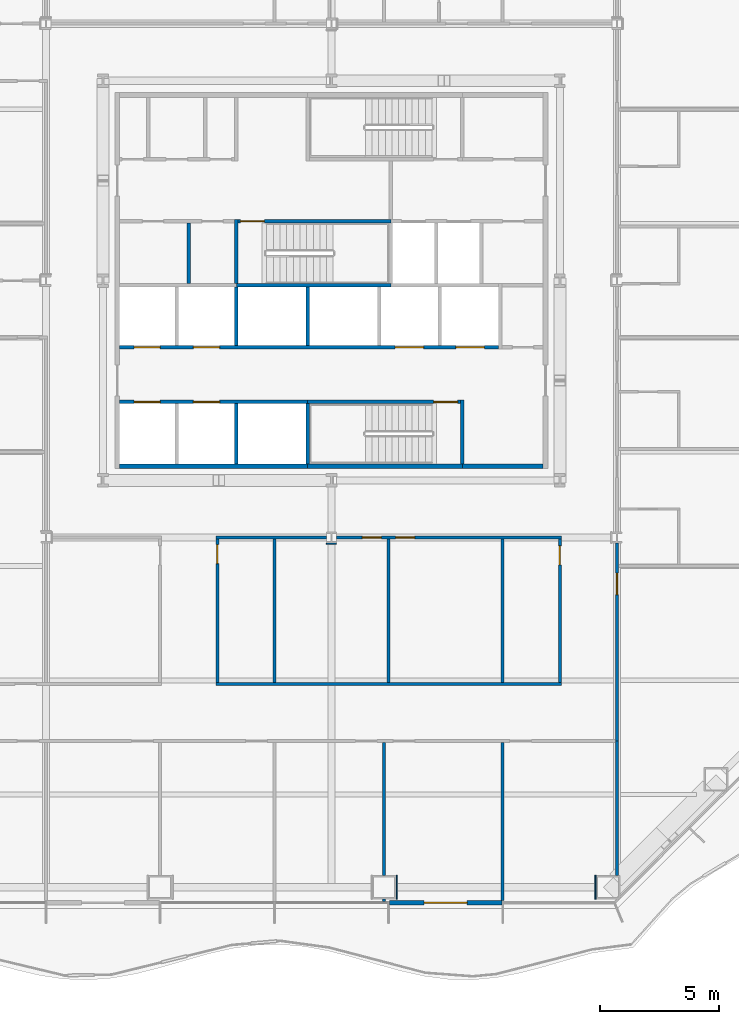
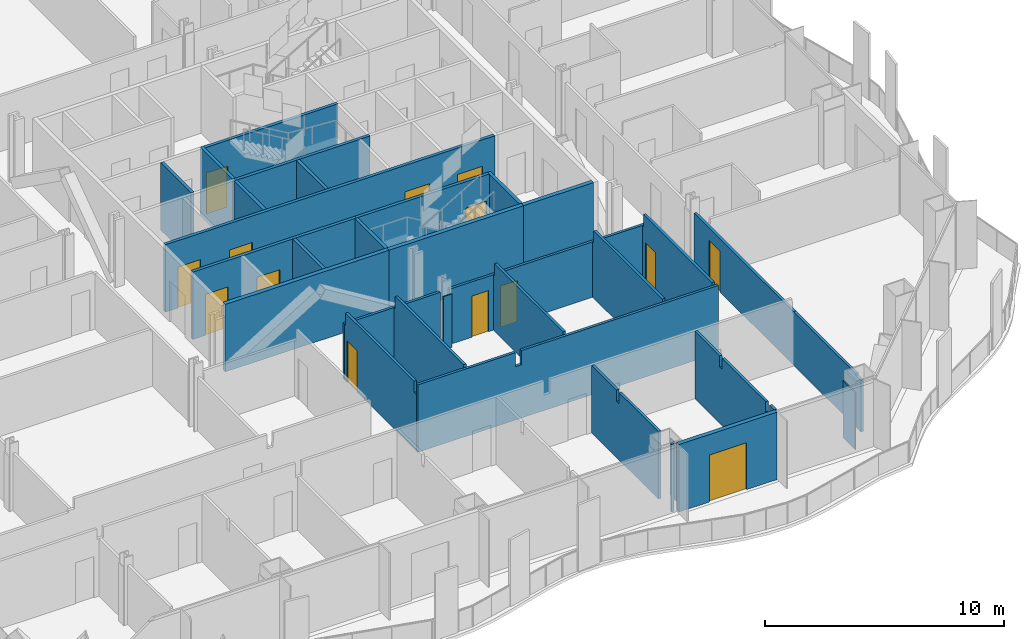
# One storey, part 10 of 20: 32 walls, 14 doors, 14 openings.
"""IFC4 building model written with IfcOpenShell, lengths in metres."""

from ifc_helpers import new_model, si_unit, direction, frame, frame_2d, origin, place, context, subcontext, project, spatial, polyline, rectangle, outline, extrude, material, layer, layer_set, type_object, element, fill, save


model = new_model("IFC4")

# Units and contexts
model_context = context("Model", 3, precision=1e-05, world=origin(), true_north=direction((0.0, 1.0)))
body_context = subcontext(model_context, "Body", "Model", "MODEL_VIEW")
ifc_project = project(units=[si_unit("LENGTHUNIT", "METRE"), si_unit("AREAUNIT", "SQUARE_METRE"), si_unit("VOLUMEUNIT", "CUBIC_METRE"), si_unit("PLANEANGLEUNIT", "RADIAN"), si_unit("MASSUNIT", "GRAM", prefix="KILO")], contexts=[model_context])

# Site, building, storey
site_placement = place(None, origin())
site = spatial("IfcSite", under=ifc_project, at=site_placement, CompositionType="ELEMENT")
building_placement = place(site_placement, origin())
building = spatial("IfcBuilding", under=site, at=building_placement, Name="Cairn Pilgrim Tower", CompositionType="ELEMENT")
storey_placement = place(building_placement, frame((0.0, 0.0, 51.0)))
storey = spatial("IfcBuildingStorey", under=building, at=storey_placement, Name="L10", CompositionType="ELEMENT", Elevation=51.0)

# Wall, opening, door
ifc_material_1 = material(Name="Bronze anodised aluminium insulated sandwich panel with mineral wool fill", Category="aluminium")
ifc_layer_1 = layer(ifc_material_1, 0.199951171875)
ifc_layer_set_1 = layer_set([ifc_layer_1], Name="BRONZE INFILL FRAME WALL 200")
wall_type_1 = type_object("IfcWallType", Name="BRONZE INFILL FRAME WALL 200", PredefinedType="NOTDEFINED", material=ifc_layer_set_1)
wall_1_placement = place(storey_placement, frame((9.6298828125, -23.75, 0.0), z_axis=(0.0, 0.0, 1.0), x_axis=(1.0, 0.0, 0.0)))
wall_1 = element("IfcWall", 1, at=wall_1_placement, inside=storey, type_object=wall_type_1, Name="Bronze infill frame wall IW-S7", PredefinedType="NOTDEFINED", context=body_context, shape_type="SweptSolid", body=[
    extrude(rectangle(XDim=4.740234375, YDim=0.199951171875, at=frame_2d((2.3701171875, 0.0))), origin(), (0.0, 0.0, 1.0), 3.449951171875),
])
opening_1_placement = place(wall_1_placement, frame((1.469970703125, 0.0, 0.0)))
opening_1 = element("IfcOpeningElement", 2, at=opening_1_placement, cuts=wall_1, Name="Opening 1007B", PredefinedType="OPENING", context=body_context, shape_type="SweptSolid", body=[
    extrude(rectangle(XDim=1.800048828125, YDim=2.39990234375, at=frame_2d((0.89990234375, 1.199951171875))), frame((0.0, 0.10986328125, 0.0), z_axis=(0.0, -1.0, 0.0), x_axis=(1.0, 0.0, 0.0)), (0.0, 0.0, 1.0), 0.219970703125),
])
ifc_material_2 = material(Name="Bronze anodised aluminium frame with tinted low-E glass", Category="aluminium")
door_type_1 = type_object("IfcDoorType", Name="BALCONY SLIDING DOOR 1800x2400", OperationType="DOUBLE_DOOR_SLIDING", PredefinedType="DOOR", material=ifc_material_2)
door_1_placement = place(opening_1_placement, origin())
door_1 = element("IfcDoor", 3, at=door_1_placement, inside=storey, type_object=door_type_1, Name="Balcony sliding door 1007B", OperationType="SINGLE_SWING_LEFT", OverallHeight=2.39990234375, OverallWidth=1.800048828125, PredefinedType="DOOR", context=body_context, shape_type="SweptSolid", body=[
    extrude(rectangle(XDim=1.800048828125, YDim=2.39990234375, at=frame_2d((0.89990234375, 1.199951171875))), frame((0.0, 0.02490234375, 0.0), z_axis=(0.0, -1.0, 0.0), x_axis=(1.0, 0.0, 0.0)), (0.0, 0.0, 1.0), 0.050048828125),
])
fill(opening_1, door_1)

# Walls
ifc_material_3 = material(Name="Concrete C32/40", Category="concrete")
ifc_layer_2 = layer(ifc_material_3, 0.199951171875)
ifc_layer_set_2 = layer_set([ifc_layer_2], Name="CORE OUTER WALL 200 EI 120")
wall_type_2 = type_object("IfcWallType", Name="CORE OUTER WALL 200 EI 120", PredefinedType="SOLIDWALL", material=ifc_layer_set_2)
wall_2_placement = place(storey_placement, frame((-1.699951171875, -5.39990234375, 0.0), z_axis=(0.0, 0.0, 1.0), x_axis=(1.0, 0.0, 0.0)))
element("IfcWall", 4, at=wall_2_placement, inside=storey, type_object=wall_type_2, Name="CW:L10:H01-1", PredefinedType="SOLIDWALL", context=body_context, shape_type="SweptSolid", body=[
    extrude(rectangle(XDim=7.89990234375, YDim=0.199951171875, at=frame_2d((3.949951171875, 0.0))), origin(), (0.0, 0.0, 1.0), 3.449951171875),
])
wall_3_placement = place(storey_placement, frame((12.699951171875, -5.39990234375, 0.0), z_axis=(0.0, 0.0, 1.0), x_axis=(1.0, 0.0, 0.0)))
element("IfcWall", 5, at=wall_3_placement, inside=storey, type_object=wall_type_2, Name="CW:L10:H01-3", PredefinedType="SOLIDWALL", context=body_context, shape_type="SweptSolid", body=[
    extrude(rectangle(XDim=3.400146484375, YDim=0.199951171875, at=frame_2d((1.7001953125, 0.0))), origin(), (0.0, 0.0, 1.0), 3.449951171875),
])
ifc_layer_3 = layer(ifc_material_3, 0.14990234375)
ifc_layer_set_3 = layer_set([ifc_layer_3], Name="CORE PARTITION 150 EI 60")
wall_type_3 = type_object("IfcWallType", Name="CORE PARTITION 150 EI 60", PredefinedType="PARTITIONING", material=ifc_layer_set_3)
wall_4_placement = place(storey_placement, frame((1.199951171875, 2.27490234375, 0.0), z_axis=(0.0, 0.0, 1.0), x_axis=(0.0, 1.0, 0.0)))
element("IfcWall", 6, at=wall_4_placement, inside=storey, type_object=wall_type_3, Name="CW:L10:V16", PredefinedType="PARTITIONING", context=body_context, shape_type="SweptSolid", body=[
    extrude(rectangle(XDim=2.550048828125, YDim=0.14990234375, at=frame_2d((1.27490234375, 0.0))), origin(), (0.0, 0.0, 1.0), 3.449951171875),
])

# Wall, openings, doors
ifc_layer_4 = layer(ifc_material_3, 0.14990234375)
ifc_layer_set_4 = layer_set([ifc_layer_4], Name="CORE SHAFT WALL 150 EI 120")
wall_type_4 = type_object("IfcWallType", Name="CORE SHAFT WALL 150 EI 120", PredefinedType="SOLIDWALL", material=ifc_layer_set_4)
wall_5_placement = place(storey_placement, frame((-1.699951171875, -2.699951171875, 0.0), z_axis=(0.0, 0.0, 1.0), x_axis=(1.0, 0.0, 0.0)))
wall_5 = element("IfcWall", 7, at=wall_5_placement, inside=storey, type_object=wall_type_4, Name="CW:L10:H02-1", PredefinedType="SOLIDWALL", context=body_context, shape_type="SweptSolid", body=[
    extrude(rectangle(XDim=7.89990234375, YDim=0.14990234375, at=frame_2d((3.949951171875, 0.0))), origin(), (0.0, 0.0, 1.0), 3.449951171875),
])
opening_2_placement = place(wall_5_placement, frame((0.60009765625, 0.0, 0.0)))
opening_2 = element("IfcOpeningElement", 8, at=opening_2_placement, cuts=wall_5, Name="Opening LD-LR1", PredefinedType="OPENING", context=body_context, shape_type="SweptSolid", body=[
    extrude(rectangle(XDim=1.10009765625, YDim=2.10009765625, at=frame_2d((0.550048828125, 1.050048828125))), frame((0.0, 0.0849609375, 0.0), z_axis=(0.0, -1.0, 0.0), x_axis=(1.0, 0.0, 0.0)), (0.0, 0.0, 1.0), 0.169921875),
])
opening_3_placement = place(wall_5_placement, frame((3.10009765625, 0.0, 0.0)))
opening_3 = element("IfcOpeningElement", 9, at=opening_3_placement, cuts=wall_5, Name="Opening LD-LR2", PredefinedType="OPENING", context=body_context, shape_type="SweptSolid", body=[
    extrude(rectangle(XDim=1.10009765625, YDim=2.10009765625, at=frame_2d((0.550048828125, 1.050048828125))), frame((0.0, 0.0849609375, 0.0), z_axis=(0.0, -1.0, 0.0), x_axis=(1.0, 0.0, 0.0)), (0.0, 0.0, 1.0), 0.169921875),
])
ifc_material_4 = material(Name="Stainless steel", Category="steel")
door_type_2 = type_object("IfcDoorType", Name="LIFT LANDING DOOR 1100x2100", OperationType="DOUBLE_DOOR_SLIDING", PredefinedType="DOOR", material=ifc_material_4)
door_2_placement = place(opening_2_placement, origin())
door_2 = element("IfcDoor", 10, at=door_2_placement, inside=storey, type_object=door_type_2, Name="LANDING DOOR LR1", OperationType="DOUBLE_DOOR_SLIDING", OverallHeight=2.10009765625, OverallWidth=1.10009765625, PredefinedType="DOOR", context=body_context, shape_type="SweptSolid", body=[
    extrude(rectangle(XDim=1.10009765625, YDim=2.10009765625, at=frame_2d((0.550048828125, 1.050048828125))), frame((0.0, 0.02490234375, 0.0), z_axis=(0.0, -1.0, 0.0), x_axis=(1.0, 0.0, 0.0)), (0.0, 0.0, 1.0), 0.050048828125),
])
fill(opening_2, door_2)
door_3_placement = place(opening_3_placement, origin())
door_3 = element("IfcDoor", 11, at=door_3_placement, inside=storey, type_object=door_type_2, Name="LANDING DOOR LR2", OperationType="DOUBLE_DOOR_SLIDING", OverallHeight=2.10009765625, OverallWidth=1.10009765625, PredefinedType="DOOR", context=body_context, shape_type="SweptSolid", body=[
    extrude(rectangle(XDim=1.10009765625, YDim=2.10009765625, at=frame_2d((0.550048828125, 1.050048828125))), frame((0.0, 0.02490234375, 0.0), z_axis=(0.0, -1.0, 0.0), x_axis=(1.0, 0.0, 0.0)), (0.0, 0.0, 1.0), 0.050048828125),
])
fill(opening_3, door_3)

wall_6_placement = place(storey_placement, frame((-1.699951171875, -0.39990234375, 0.0), z_axis=(0.0, 0.0, 1.0), x_axis=(1.0, 0.0, 0.0)))
wall_6 = element("IfcWall", 12, at=wall_6_placement, inside=storey, type_object=wall_type_4, Name="CW:L10:H03", PredefinedType="SOLIDWALL", context=body_context, shape_type="SweptSolid", body=[
    extrude(rectangle(XDim=15.925048828125, YDim=0.14990234375, at=frame_2d((7.96240234375, 0.0))), origin(), (0.0, 0.0, 1.0), 3.449951171875),
])
opening_4_placement = place(wall_6_placement, frame((0.60009765625, 0.0, 0.0)))
opening_4 = element("IfcOpeningElement", 13, at=opening_4_placement, cuts=wall_6, Name="Opening LD-LR3", PredefinedType="OPENING", context=body_context, shape_type="SweptSolid", body=[
    extrude(rectangle(XDim=1.10009765625, YDim=2.10009765625, at=frame_2d((0.550048828125, 1.050048828125))), frame((0.0, 0.0849609375, 0.0), z_axis=(0.0, -1.0, 0.0), x_axis=(1.0, 0.0, 0.0)), (0.0, 0.0, 1.0), 0.169921875),
])
opening_5_placement = place(wall_6_placement, frame((3.10009765625, 0.0, 0.0)))
opening_5 = element("IfcOpeningElement", 14, at=opening_5_placement, cuts=wall_6, Name="Opening LD-LR4", PredefinedType="OPENING", context=body_context, shape_type="SweptSolid", body=[
    extrude(rectangle(XDim=1.10009765625, YDim=2.10009765625, at=frame_2d((0.550048828125, 1.050048828125))), frame((0.0, 0.0849609375, 0.0), z_axis=(0.0, -1.0, 0.0), x_axis=(1.0, 0.0, 0.0)), (0.0, 0.0, 1.0), 0.169921875),
])
opening_6_placement = place(wall_6_placement, frame((11.574951171875, 0.0, 0.0)))
opening_6 = element("IfcOpeningElement", 15, at=opening_6_placement, cuts=wall_6, Name="Opening LD-SV1", PredefinedType="OPENING", context=body_context, shape_type="SweptSolid", body=[
    extrude(rectangle(XDim=1.199951171875, YDim=2.10009765625, at=frame_2d((0.60009765625, 1.050048828125))), frame((0.0, 0.0849609375, 0.0), z_axis=(0.0, -1.0, 0.0), x_axis=(1.0, 0.0, 0.0)), (0.0, 0.0, 1.0), 0.169921875),
])
opening_7_placement = place(wall_6_placement, frame((14.125, 0.0, 0.0)))
opening_7 = element("IfcOpeningElement", 16, at=opening_7_placement, cuts=wall_6, Name="Opening LD-SV2", PredefinedType="OPENING", context=body_context, shape_type="SweptSolid", body=[
    extrude(rectangle(XDim=1.199951171875, YDim=2.10009765625, at=frame_2d((0.60009765625, 1.050048828125))), frame((0.0, 0.0849609375, 0.0), z_axis=(0.0, -1.0, 0.0), x_axis=(1.0, 0.0, 0.0)), (0.0, 0.0, 1.0), 0.169921875),
])
door_4_placement = place(opening_4_placement, origin())
door_4 = element("IfcDoor", 17, at=door_4_placement, inside=storey, type_object=door_type_2, Name="LANDING DOOR LR3", OperationType="DOUBLE_DOOR_SLIDING", OverallHeight=2.10009765625, OverallWidth=1.10009765625, PredefinedType="DOOR", context=body_context, shape_type="SweptSolid", body=[
    extrude(rectangle(XDim=1.10009765625, YDim=2.10009765625, at=frame_2d((0.550048828125, 1.050048828125))), frame((0.0, 0.02490234375, 0.0), z_axis=(0.0, -1.0, 0.0), x_axis=(1.0, 0.0, 0.0)), (0.0, 0.0, 1.0), 0.050048828125),
])
fill(opening_4, door_4)
door_5_placement = place(opening_5_placement, origin())
door_5 = element("IfcDoor", 18, at=door_5_placement, inside=storey, type_object=door_type_2, Name="LANDING DOOR LR4", OperationType="DOUBLE_DOOR_SLIDING", OverallHeight=2.10009765625, OverallWidth=1.10009765625, PredefinedType="DOOR", context=body_context, shape_type="SweptSolid", body=[
    extrude(rectangle(XDim=1.10009765625, YDim=2.10009765625, at=frame_2d((0.550048828125, 1.050048828125))), frame((0.0, 0.02490234375, 0.0), z_axis=(0.0, -1.0, 0.0), x_axis=(1.0, 0.0, 0.0)), (0.0, 0.0, 1.0), 0.050048828125),
])
fill(opening_5, door_5)
door_type_3 = type_object("IfcDoorType", Name="LIFT LANDING DOOR 1200x2100", OperationType="DOUBLE_DOOR_SLIDING", PredefinedType="DOOR", material=ifc_material_4)
door_6_placement = place(opening_6_placement, origin())
door_6 = element("IfcDoor", 19, at=door_6_placement, inside=storey, type_object=door_type_3, Name="LANDING DOOR SV1", OperationType="DOUBLE_DOOR_SLIDING", OverallHeight=2.10009765625, OverallWidth=1.199951171875, PredefinedType="DOOR", context=body_context, shape_type="SweptSolid", body=[
    extrude(rectangle(XDim=1.199951171875, YDim=2.10009765625, at=frame_2d((0.60009765625, 1.050048828125))), frame((0.0, 0.02490234375, 0.0), z_axis=(0.0, -1.0, 0.0), x_axis=(1.0, 0.0, 0.0)), (0.0, 0.0, 1.0), 0.050048828125),
])
fill(opening_6, door_6)
door_7_placement = place(opening_7_placement, origin())
door_7 = element("IfcDoor", 20, at=door_7_placement, inside=storey, type_object=door_type_3, Name="LANDING DOOR SV2", OperationType="DOUBLE_DOOR_SLIDING", OverallHeight=2.10009765625, OverallWidth=1.199951171875, PredefinedType="DOOR", context=body_context, shape_type="SweptSolid", body=[
    extrude(rectangle(XDim=1.199951171875, YDim=2.10009765625, at=frame_2d((0.60009765625, 1.050048828125))), frame((0.0, 0.02490234375, 0.0), z_axis=(0.0, -1.0, 0.0), x_axis=(1.0, 0.0, 0.0)), (0.0, 0.0, 1.0), 0.050048828125),
])
fill(opening_7, door_7)

# Walls
wall_7_placement = place(storey_placement, frame((3.199951171875, -5.300048828125, 0.0), z_axis=(0.0, 0.0, 1.0), x_axis=(0.0, 1.0, 0.0)))
element("IfcWall", 21, at=wall_7_placement, inside=storey, type_object=wall_type_4, Name="CW:L10:V18", PredefinedType="SOLIDWALL", context=body_context, shape_type="SweptSolid", body=[
    extrude(rectangle(XDim=2.525146484375, YDim=0.14990234375, at=frame_2d((1.2626953125, 0.0))), origin(), (0.0, 0.0, 1.0), 3.449951171875),
])
for number, where, z_axis, x_axis, name in (
    (22, (3.199951171875, -0.324951171875, 0.0), (0.0, 0.0, 1.0), (0.0, 1.0, 0.0), "CW:L10:V19"),
    (23, (6.199951171875, -0.324951171875, 0.0), (0.0, 0.0, 1.0), (0.0, 1.0, 0.0), "CW:L10:V23"),
):
    element("IfcWall", number, at=place(storey_placement, frame(where, z_axis=z_axis, x_axis=x_axis)), inside=storey, type_object=wall_type_4, Name=name, PredefinedType="SOLIDWALL", context=body_context, shape_type="SweptSolid", body=[
        extrude(rectangle(XDim=2.449951171875, YDim=0.14990234375, at=frame_2d((1.22509765625, 0.0))), origin(), (0.0, 0.0, 1.0), 3.449951171875),
    ])
ifc_material_5 = material(Name="Gypsum partition")
ifc_layer_5 = layer(ifc_material_5, 0.125)
ifc_layer_set_5 = layer_set([ifc_layer_5], Name="PARTITION 125 DRYWALL EI 60")
wall_type_5 = type_object("IfcWallType", Name="PARTITION 125 DRYWALL EI 60", PredefinedType="PARTITIONING", material=ifc_layer_set_5)
wall_8_placement = place(storey_placement, frame((9.4140625, -23.702880859375, 0.0), z_axis=(0.0, 0.0, 1.0), x_axis=(0.0, 1.0, 0.0)))
element("IfcWall", 24, at=wall_8_placement, inside=storey, type_object=wall_type_5, Name="PARTITION W005", PredefinedType="PARTITIONING", context=body_context, shape_type="SweptSolid", body=[
    extrude(rectangle(XDim=0.102783203125, YDim=0.125, at=frame_2d((0.05126953125, 0.0))), origin(), (0.0, 0.0, 1.0), 3.449951171875),
])
wall_9_placement = place(storey_placement, frame((14.39990234375, -23.64990234375, 0.0), z_axis=(0.0, 0.0, 1.0), x_axis=(0.0, 1.0, 0.0)))
element("IfcWall", 25, at=wall_9_placement, inside=storey, type_object=wall_type_5, Name="PARTITION W006", PredefinedType="PARTITIONING", context=body_context, shape_type="SweptSolid", body=[
    extrude(outline(polyline([(0.0, 0.0), (6.637451171875, 0.0), (6.637451171875, 3.449951171875), (4.554931640625, 3.449951171875), (4.552978515625, 2.8798828125), (4.344970703125, 2.8798828125), (4.343017578125, 3.449951171875), (0.699951171875, 3.449951171875), (0.697998046875, 2.929931640625), (0.39990234375, 2.929931640625), (0.39794921875, 3.449951171875), (0.0, 3.449951171875), (0.0, 0.0)])), frame((0.0, 0.0625, 0.0), z_axis=(0.0, -1.0, 0.0), x_axis=(1.0, 0.0, 0.0)), (0.0, 0.0, 1.0), 0.125),
])
wall_10_placement = place(storey_placement, frame((9.4140625, -22.60009765625, 0.0), z_axis=(0.0, 0.0, 1.0), x_axis=(0.0, 1.0, 0.0)))
element("IfcWall", 26, at=wall_10_placement, inside=storey, type_object=wall_type_5, Name="PARTITION W009", PredefinedType="PARTITIONING", context=body_context, shape_type="SweptSolid", body=[
    extrude(outline(polyline([(0.0, 0.0), (5.587646484375, 0.0), (5.58740234375, 3.449951171875), (3.5048828125, 3.449951171875), (3.5029296875, 2.8798828125), (3.294921875, 2.8798828125), (3.29296875, 3.449951171875), (0.0, 3.449951171875), (0.0, 0.0)])), frame((0.0, 0.0625, 0.0), z_axis=(0.0, -1.0, 0.0), x_axis=(1.0, 0.0, 0.0)), (0.0, 0.0, 1.0), 0.125),
])
wall_11_placement = place(storey_placement, frame((19.199951171875, -22.60009765625, 0.0), z_axis=(0.0, 0.0, 1.0), x_axis=(0.0, 1.0, 0.0)))
element("IfcWall", 27, at=wall_11_placement, inside=storey, type_object=wall_type_5, Name="PARTITION W010", PredefinedType="PARTITIONING", context=body_context, shape_type="SweptSolid", body=[
    extrude(outline(polyline([(0.0, 0.0), (5.650146484375, 0.0), (5.64990234375, 2.72998046875), (0.430419921875, 2.72998046875), (0.42822265625, 2.6298828125), (0.0, 2.6298828125), (0.0, 0.0)])), frame((0.0, 0.0625, 0.0), z_axis=(0.0, -1.0, 0.0), x_axis=(1.0, 0.0, 0.0)), (0.0, 0.0, 1.0), 0.125),
])

# Wall, opening, door
wall_12_placement = place(storey_placement, frame((19.199951171875, -16.949951171875, 0.0), z_axis=(0.0, 0.0, 1.0), x_axis=(0.0, 1.0, 0.0)))
wall_12 = element("IfcWall", 28, at=wall_12_placement, inside=storey, type_object=wall_type_5, Name="PARTITION W015", PredefinedType="PARTITIONING", context=body_context, shape_type="SweptSolid", body=[
    extrude(rectangle(XDim=8.31298828125, YDim=0.125, at=frame_2d((4.156494140625, 0.0))), origin(), (0.0, 0.0, 1.0), 2.72998046875),
])
opening_8_placement = place(wall_12_placement, frame((6.14990234375, 0.0, 0.0)))
opening_8 = element("IfcOpeningElement", 29, at=opening_8_placement, cuts=wall_12, Name="Opening 1022", PredefinedType="OPENING", context=body_context, shape_type="SweptSolid", body=[
    extrude(rectangle(XDim=0.89990234375, YDim=2.10009765625, at=frame_2d((0.449951171875, 1.050048828125))), frame((0.0, 0.072509765625, 0.0), z_axis=(0.0, -1.0, 0.0), x_axis=(1.0, 0.0, 0.0)), (0.0, 0.0, 1.0), 0.14501953125),
])
ifc_material_6 = material(Name="Steel-faced fire door leaf", Category="steel")
door_type_4 = type_object("IfcDoorType", Name="FIRE DOOR 900x2100 FD30S", OperationType="NOTDEFINED", PredefinedType="DOOR", material=ifc_material_6)
door_8_placement = place(opening_8_placement, frame((0.89990234375, 0.0, 0.0), z_axis=(0.0, 0.0, 1.0), x_axis=(-1.0, 0.0, 0.0)))
door_8 = element("IfcDoor", 30, at=door_8_placement, inside=storey, type_object=door_type_4, Name="DOOR 1022", OperationType="SINGLE_SWING_LEFT", OverallHeight=2.10009765625, OverallWidth=0.89990234375, PredefinedType="DOOR", context=body_context, shape_type="SweptSolid", body=[
    extrude(rectangle(XDim=0.89990234375, YDim=2.10009765625, at=frame_2d((0.449951171875, 1.050048828125))), frame((0.0, 0.02490234375, 0.0), z_axis=(0.0, -1.0, 0.0), x_axis=(1.0, 0.0, 0.0)), (0.0, 0.0, 1.0), 0.050048828125),
])
fill(opening_8, door_8)

# Wall
wall_13_placement = place(storey_placement, frame((2.33740234375, -14.550048828125, 0.0), z_axis=(0.0, 0.0, 1.0), x_axis=(1.0, 0.0, 0.0)))
element("IfcWall", 31, at=wall_13_placement, inside=storey, type_object=wall_type_5, Name="PARTITION W017", PredefinedType="PARTITIONING", context=body_context, shape_type="SweptSolid", body=[
    extrude(outline(polyline([(0.0, 0.0), (14.525146484375, 0.0), (14.52490234375, 3.449951171875), (5.012451171875, 3.449951171875), (5.010498046875, 2.72998046875), (4.71240234375, 2.72998046875), (4.71044921875, 3.449951171875), (0.0, 3.449951171875), (0.0, 0.0)])), frame((0.0, 0.0625, 0.0), z_axis=(0.0, -1.0, 0.0), x_axis=(1.0, 0.0, 0.0)), (0.0, 0.0, 1.0), 0.125),
])

# Wall, opening, door
wall_14_placement = place(storey_placement, frame((2.39990234375, -14.487548828125, 0.0), z_axis=(0.0, 0.0, 1.0), x_axis=(0.0, 1.0, 0.0)))
wall_14 = element("IfcWall", 32, at=wall_14_placement, inside=storey, type_object=wall_type_5, Name="PARTITION W022", PredefinedType="PARTITIONING", context=body_context, shape_type="SweptSolid", body=[
    extrude(outline(polyline([(0.0, 0.0), (6.025146484375, 0.0), (6.02490234375, 2.830078125), (5.9375, 2.830078125), (5.935546875, 3.449951171875), (0.1923828125, 3.449951171875), (0.1904296875, 2.8798828125), (0.0, 2.8798828125), (0.0, 0.0)])), frame((0.0, 0.0625, 0.0), z_axis=(0.0, -1.0, 0.0), x_axis=(1.0, 0.0, 0.0)), (0.0, 0.0, 1.0), 0.125),
])
opening_9_placement = place(wall_14_placement, frame((4.987548828125, 0.0, 0.0)))
opening_9 = element("IfcOpeningElement", 33, at=opening_9_placement, cuts=wall_14, Name="Opening 1035", PredefinedType="OPENING", context=body_context, shape_type="SweptSolid", body=[
    extrude(rectangle(XDim=0.800048828125, YDim=2.10009765625, at=frame_2d((0.39990234375, 1.050048828125))), frame((0.0, 0.072509765625, 0.0), z_axis=(0.0, -1.0, 0.0), x_axis=(1.0, 0.0, 0.0)), (0.0, 0.0, 1.0), 0.14501953125),
])
door_type_5 = type_object("IfcDoorType", Name="FIRE DOOR 800x2100 FD30S", OperationType="NOTDEFINED", PredefinedType="DOOR", material=ifc_material_6)
door_9_placement = place(opening_9_placement, frame((0.800048828125, 0.0, 0.0), z_axis=(0.0, 0.0, 1.0), x_axis=(-1.0, 0.0, 0.0)))
door_9 = element("IfcDoor", 34, at=door_9_placement, inside=storey, type_object=door_type_5, Name="DOOR 1035", OperationType="SINGLE_SWING_RIGHT", OverallHeight=2.10009765625, OverallWidth=0.800048828125, PredefinedType="DOOR", context=body_context, shape_type="SweptSolid", body=[
    extrude(rectangle(XDim=0.800048828125, YDim=2.10009765625, at=frame_2d((0.39990234375, 1.050048828125))), frame((0.0, 0.02490234375, 0.0), z_axis=(0.0, -1.0, 0.0), x_axis=(1.0, 0.0, 0.0)), (0.0, 0.0, 1.0), 0.050048828125),
])
fill(opening_9, door_9)

# Walls
for number, where, z_axis, x_axis, name in (
    (35, (4.800048828125, -14.487548828125, 0.0), (0.0, 0.0, 1.0), (0.0, 1.0, 0.0), "PARTITION W023"),
    (36, (9.60009765625, -14.487548828125, 0.0), (0.0, 0.0, 1.0), (0.0, 1.0, 0.0), "PARTITION W024"),
    (37, (14.39990234375, -14.487548828125, 0.0), (0.0, 0.0, 1.0), (0.0, 1.0, 0.0), "PARTITION W025"),
):
    element("IfcWall", number, at=place(storey_placement, frame(where, z_axis=z_axis, x_axis=x_axis)), inside=storey, type_object=wall_type_5, Name=name, PredefinedType="PARTITIONING", context=body_context, shape_type="SweptSolid", body=[
        extrude(outline(polyline([(0.0, 0.0), (6.025146484375, 0.0), (6.02490234375, 2.830078125), (5.9375, 2.830078125), (5.935546875, 3.449951171875), (0.1923828125, 3.449951171875), (0.1904296875, 2.8798828125), (0.0, 2.8798828125), (0.0, 0.0)])), frame((0.0, 0.0625, 0.0), z_axis=(0.0, -1.0, 0.0), x_axis=(1.0, 0.0, 0.0)), (0.0, 0.0, 1.0), 0.125),
    ])

# Wall, opening, door
wall_15_placement = place(storey_placement, frame((16.800048828125, -14.487548828125, 0.0), z_axis=(0.0, 0.0, 1.0), x_axis=(0.0, 1.0, 0.0)))
wall_15 = element("IfcWall", 38, at=wall_15_placement, inside=storey, type_object=wall_type_5, Name="PARTITION W026", PredefinedType="PARTITIONING", context=body_context, shape_type="SweptSolid", body=[
    extrude(outline(polyline([(0.0, 0.0), (6.025146484375, 0.0), (6.02490234375, 2.830078125), (5.9375, 2.830078125), (5.935546875, 3.449951171875), (0.1923828125, 3.449951171875), (0.1904296875, 2.8798828125), (0.0, 2.8798828125), (0.0, 0.0)])), frame((0.0, 0.0625, 0.0), z_axis=(0.0, -1.0, 0.0), x_axis=(1.0, 0.0, 0.0)), (0.0, 0.0, 1.0), 0.125),
])
opening_10_placement = place(wall_15_placement, frame((4.9375, 0.0, 0.0)))
opening_10 = element("IfcOpeningElement", 39, at=opening_10_placement, cuts=wall_15, Name="Opening 1038", PredefinedType="OPENING", context=body_context, shape_type="SweptSolid", body=[
    extrude(rectangle(XDim=0.800048828125, YDim=2.10009765625, at=frame_2d((0.39990234375, 1.050048828125))), frame((0.0, 0.072509765625, 0.0), z_axis=(0.0, -1.0, 0.0), x_axis=(1.0, 0.0, 0.0)), (0.0, 0.0, 1.0), 0.14501953125),
])
door_10_placement = place(opening_10_placement, origin())
door_10 = element("IfcDoor", 40, at=door_10_placement, inside=storey, type_object=door_type_5, Name="DOOR 1038", OperationType="SINGLE_SWING_LEFT", OverallHeight=2.10009765625, OverallWidth=0.800048828125, PredefinedType="DOOR", context=body_context, shape_type="SweptSolid", body=[
    extrude(rectangle(XDim=0.800048828125, YDim=2.10009765625, at=frame_2d((0.39990234375, 1.050048828125))), frame((0.0, 0.02490234375, 0.0), z_axis=(0.0, -1.0, 0.0), x_axis=(1.0, 0.0, 0.0)), (0.0, 0.0, 1.0), 0.050048828125),
])
fill(opening_10, door_10)

# Wall
wall_16_placement = place(storey_placement, frame((2.33740234375, -8.39990234375, 0.0), z_axis=(0.0, 0.0, 1.0), x_axis=(1.0, 0.0, 0.0)))
element("IfcWall", 41, at=wall_16_placement, inside=storey, type_object=wall_type_5, Name="PARTITION W032", PredefinedType="PARTITIONING", context=body_context, shape_type="SweptSolid", body=[
    extrude(rectangle(XDim=4.650634765625, YDim=0.125, at=frame_2d((2.3251953125, 0.0))), origin(), (0.0, 0.0, 1.0), 2.830078125),
])

# Wall, openings, doors
wall_17_placement = place(storey_placement, frame((7.412109375, -8.39990234375, 0.0), z_axis=(0.0, 0.0, 1.0), x_axis=(1.0, 0.0, 0.0)))
wall_17 = element("IfcWall", 42, at=wall_17_placement, inside=storey, type_object=wall_type_5, Name="PARTITION W033", PredefinedType="PARTITIONING", context=body_context, shape_type="SweptSolid", body=[
    extrude(rectangle(XDim=9.450439453125, YDim=0.125, at=frame_2d((4.72509765625, 0.0))), origin(), (0.0, 0.0, 1.0), 2.830078125),
])
opening_11_placement = place(wall_17_placement, frame((1.087890625, 0.0, 0.0)))
opening_11 = element("IfcOpeningElement", 43, at=opening_11_placement, cuts=wall_17, Name="Opening 1036", PredefinedType="OPENING", context=body_context, shape_type="SweptSolid", body=[
    extrude(rectangle(XDim=0.800048828125, YDim=2.10009765625, at=frame_2d((0.39990234375, 1.050048828125))), frame((0.0, 0.072509765625, 0.0), z_axis=(0.0, -1.0, 0.0), x_axis=(1.0, 0.0, 0.0)), (0.0, 0.0, 1.0), 0.14501953125),
])
opening_12_placement = place(wall_17_placement, frame((2.488037109375, 0.0, 0.0)))
opening_12 = element("IfcOpeningElement", 44, at=opening_12_placement, cuts=wall_17, Name="Opening 1037", PredefinedType="OPENING", context=body_context, shape_type="SweptSolid", body=[
    extrude(rectangle(XDim=0.800048828125, YDim=2.10009765625, at=frame_2d((0.39990234375, 1.050048828125))), frame((0.0, 0.072509765625, 0.0), z_axis=(0.0, -1.0, 0.0), x_axis=(1.0, 0.0, 0.0)), (0.0, 0.0, 1.0), 0.14501953125),
])
door_11_placement = place(opening_11_placement, frame((0.800048828125, 0.0, 0.0), z_axis=(0.0, 0.0, 1.0), x_axis=(-1.0, 0.0, 0.0)))
door_11 = element("IfcDoor", 45, at=door_11_placement, inside=storey, type_object=door_type_5, Name="DOOR 1036", OperationType="SINGLE_SWING_LEFT", OverallHeight=2.10009765625, OverallWidth=0.800048828125, PredefinedType="DOOR", context=body_context, shape_type="SweptSolid", body=[
    extrude(rectangle(XDim=0.800048828125, YDim=2.10009765625, at=frame_2d((0.39990234375, 1.050048828125))), frame((0.0, 0.02490234375, 0.0), z_axis=(0.0, -1.0, 0.0), x_axis=(1.0, 0.0, 0.0)), (0.0, 0.0, 1.0), 0.050048828125),
])
fill(opening_11, door_11)
door_12_placement = place(opening_12_placement, frame((0.800048828125, 0.0, 0.0), z_axis=(0.0, 0.0, 1.0), x_axis=(-1.0, 0.0, 0.0)))
door_12 = element("IfcDoor", 46, at=door_12_placement, inside=storey, type_object=door_type_5, Name="DOOR 1037", OperationType="SINGLE_SWING_RIGHT", OverallHeight=2.10009765625, OverallWidth=0.800048828125, PredefinedType="DOOR", context=body_context, shape_type="SweptSolid", body=[
    extrude(rectangle(XDim=0.800048828125, YDim=2.10009765625, at=frame_2d((0.39990234375, 1.050048828125))), frame((0.0, 0.02490234375, 0.0), z_axis=(0.0, -1.0, 0.0), x_axis=(1.0, 0.0, 0.0)), (0.0, 0.0, 1.0), 0.050048828125),
])
fill(opening_12, door_12)

# Walls
ifc_layer_6 = layer(ifc_material_5, 0.050048828125)
ifc_layer_set_6 = layer_set([ifc_layer_6], Name="PARTITION 50 DRYWALL EI 60")
wall_type_6 = type_object("IfcWallType", Name="PARTITION 50 DRYWALL EI 60", PredefinedType="PARTITIONING", material=ifc_layer_set_6)
for number, where, z_axis, x_axis, name in (
    (47, (9.938720703125, -23.60009765625, 0.0), (0.0, 0.0, 1.0), (0.0, 1.0, 0.0), "COLUMN CASING WC07"),
    (48, (18.30224609375, -23.60009765625, 0.0), (0.0, 0.0, 1.0), (0.0, 1.0, 0.0), "COLUMN CASING WC08"),
):
    element("IfcWall", number, at=place(storey_placement, frame(where, z_axis=z_axis, x_axis=x_axis)), inside=storey, type_object=wall_type_6, Name=name, PredefinedType="PARTITIONING", context=body_context, shape_type="SweptSolid", body=[
        extrude(rectangle(XDim=1.0, YDim=0.050048828125, at=frame_2d((0.5, 0.0))), origin(), (0.0, 0.0, 1.0), 2.929931640625),
    ])
wall_18_placement = place(storey_placement, frame((6.988037109375, -8.662109375, 0.0), z_axis=(0.0, 0.0, 1.0), x_axis=(1.0, 0.0, 0.0)))
element("IfcWall", 49, at=wall_18_placement, inside=storey, type_object=wall_type_6, Name="COLUMN CASING WC16", PredefinedType="PARTITIONING", context=body_context, shape_type="SweptSolid", body=[
    extrude(rectangle(XDim=0.424072265625, YDim=0.050048828125, at=frame_2d((0.2119140625, 0.0))), origin(), (0.0, 0.0, 1.0), 2.72998046875),
])

# Wall, opening, door
ifc_material_7 = material(Name="Concrete C35/45", Category="concrete")
ifc_layer_7 = layer(ifc_material_7, 0.14990234375)
ifc_layer_set_7 = layer_set([ifc_layer_7], Name="STAIR SHAFT WALL 150 EI 120")
wall_type_7 = type_object("IfcWallType", Name="STAIR SHAFT WALL 150 EI 120", PredefinedType="SOLIDWALL", material=ifc_layer_set_7)
wall_19_placement = place(storey_placement, frame((6.199951171875, -2.699951171875, 0.0), z_axis=(0.0, 0.0, 1.0), x_axis=(1.0, 0.0, 0.0)))
wall_19 = element("IfcWall", 50, at=wall_19_placement, inside=storey, type_object=wall_type_7, Name="CW:L10:H02-2", PredefinedType="SOLIDWALL", context=body_context, shape_type="SweptSolid", body=[
    extrude(rectangle(XDim=6.425048828125, YDim=0.14990234375, at=frame_2d((3.21240234375, 0.0))), origin(), (0.0, 0.0, 1.0), 3.449951171875),
])
opening_13_placement = place(wall_19_placement, frame((5.300048828125, 0.0, 0.0)))
opening_13 = element("IfcOpeningElement", 51, at=opening_13_placement, cuts=wall_19, Name="Opening SD-A", PredefinedType="OPENING", context=body_context, shape_type="SweptSolid", body=[
    extrude(rectangle(XDim=1.0, YDim=2.10009765625, at=frame_2d((0.5, 1.050048828125))), frame((0.0, 0.0849609375, 0.0), z_axis=(0.0, -1.0, 0.0), x_axis=(1.0, 0.0, 0.0)), (0.0, 0.0, 1.0), 0.169921875),
])
ifc_material_8 = material(Name="Painted steel", Category="steel")
door_type_6 = type_object("IfcDoorType", Name="STAIR DOOR FD60S 1000x2100", OperationType="SINGLE_SWING_LEFT", PredefinedType="DOOR", material=ifc_material_8)
door_13_placement = place(opening_13_placement, origin())
door_13 = element("IfcDoor", 52, at=door_13_placement, inside=storey, type_object=door_type_6, Name="SD-A", OperationType="SINGLE_SWING_RIGHT", OverallHeight=2.10009765625, OverallWidth=1.0, PredefinedType="DOOR", context=body_context, shape_type="SweptSolid", body=[
    extrude(rectangle(XDim=1.0, YDim=2.10009765625, at=frame_2d((0.5, 1.050048828125))), frame((0.0, 0.02490234375, 0.0), z_axis=(0.0, -1.0, 0.0), x_axis=(1.0, 0.0, 0.0)), (0.0, 0.0, 1.0), 0.050048828125),
])
fill(opening_13, door_13)

# Wall
wall_20_placement = place(storey_placement, frame((3.199951171875, 2.199951171875, 0.0), z_axis=(0.0, 0.0, 1.0), x_axis=(1.0, 0.0, 0.0)))
element("IfcWall", 53, at=wall_20_placement, inside=storey, type_object=wall_type_7, Name="CW:L10:H05-2", PredefinedType="SOLIDWALL", context=body_context, shape_type="SweptSolid", body=[
    extrude(rectangle(XDim=6.5, YDim=0.14990234375, at=frame_2d((3.25, 0.0))), origin(), (0.0, 0.0, 1.0), 3.449951171875),
])

# Wall, opening, door
wall_21_placement = place(storey_placement, frame((3.27490234375, 4.89990234375, 0.0), z_axis=(0.0, 0.0, 1.0), x_axis=(1.0, 0.0, 0.0)))
wall_21 = element("IfcWall", 54, at=wall_21_placement, inside=storey, type_object=wall_type_7, Name="CW:L10:H08-1", PredefinedType="SOLIDWALL", context=body_context, shape_type="SweptSolid", body=[
    extrude(rectangle(XDim=6.425048828125, YDim=0.14990234375, at=frame_2d((3.21240234375, 0.0))), origin(), (0.0, 0.0, 1.0), 3.449951171875),
])
opening_14_placement = place(wall_21_placement, frame((0.10009765625, 0.0, 0.0)))
opening_14 = element("IfcOpeningElement", 55, at=opening_14_placement, cuts=wall_21, Name="Opening SD-B", PredefinedType="OPENING", context=body_context, shape_type="SweptSolid", body=[
    extrude(rectangle(XDim=1.0, YDim=2.10009765625, at=frame_2d((0.5, 1.050048828125))), frame((0.0, 0.0849609375, 0.0), z_axis=(0.0, -1.0, 0.0), x_axis=(1.0, 0.0, 0.0)), (0.0, 0.0, 1.0), 0.169921875),
])
door_14_placement = place(opening_14_placement, origin())
door_14 = element("IfcDoor", 56, at=door_14_placement, inside=storey, type_object=door_type_6, Name="SD-B", OperationType="SINGLE_SWING_LEFT", OverallHeight=2.10009765625, OverallWidth=1.0, PredefinedType="DOOR", context=body_context, shape_type="SweptSolid", body=[
    extrude(rectangle(XDim=1.0, YDim=2.10009765625, at=frame_2d((0.5, 1.050048828125))), frame((0.0, 0.02490234375, 0.0), z_axis=(0.0, -1.0, 0.0), x_axis=(1.0, 0.0, 0.0)), (0.0, 0.0, 1.0), 0.050048828125),
])
fill(opening_14, door_14)

# Walls
wall_22_placement = place(storey_placement, frame((3.199951171875, 2.27490234375, 0.0), z_axis=(0.0, 0.0, 1.0), x_axis=(0.0, 1.0, 0.0)))
element("IfcWall", 57, at=wall_22_placement, inside=storey, type_object=wall_type_7, Name="CW:L10:V20", PredefinedType="SOLIDWALL", context=body_context, shape_type="SweptSolid", body=[
    extrude(rectangle(XDim=2.7001953125, YDim=0.14990234375, at=frame_2d((1.35009765625, 0.0))), origin(), (0.0, 0.0, 1.0), 3.449951171875),
])
wall_23_placement = place(storey_placement, frame((6.199951171875, -5.300048828125, 0.0), z_axis=(0.0, 0.0, 1.0), x_axis=(0.0, 1.0, 0.0)))
element("IfcWall", 58, at=wall_23_placement, inside=storey, type_object=wall_type_7, Name="CW:L10:V22", PredefinedType="SOLIDWALL", context=body_context, shape_type="SweptSolid", body=[
    extrude(rectangle(XDim=2.525146484375, YDim=0.14990234375, at=frame_2d((1.2626953125, 0.0))), origin(), (0.0, 0.0, 1.0), 3.449951171875),
])
wall_24_placement = place(storey_placement, frame((12.699951171875, -5.300048828125, 0.0), z_axis=(0.0, 0.0, 1.0), x_axis=(0.0, 1.0, 0.0)))
element("IfcWall", 59, at=wall_24_placement, inside=storey, type_object=wall_type_7, Name="CW:L10:V30", PredefinedType="SOLIDWALL", context=body_context, shape_type="SweptSolid", body=[
    extrude(rectangle(XDim=2.675048828125, YDim=0.14990234375, at=frame_2d((1.33740234375, 0.0))), origin(), (0.0, 0.0, 1.0), 3.449951171875),
])
ifc_layer_8 = layer(ifc_material_7, 0.199951171875)
ifc_layer_set_8 = layer_set([ifc_layer_8], Name="STAIR SHAFT WALL 200 EI 120")
wall_type_8 = type_object("IfcWallType", Name="STAIR SHAFT WALL 200 EI 120", PredefinedType="SOLIDWALL", material=ifc_layer_set_8)
wall_25_placement = place(storey_placement, frame((6.199951171875, -5.39990234375, 0.0), z_axis=(0.0, 0.0, 1.0), x_axis=(1.0, 0.0, 0.0)))
element("IfcWall", 60, at=wall_25_placement, inside=storey, type_object=wall_type_8, Name="CW:L10:H01-2", PredefinedType="SOLIDWALL", context=body_context, shape_type="SweptSolid", body=[
    extrude(rectangle(XDim=6.5, YDim=0.199951171875, at=frame_2d((3.25, 0.0))), origin(), (0.0, 0.0, 1.0), 3.449951171875),
])

save(model, "model.ifc")
